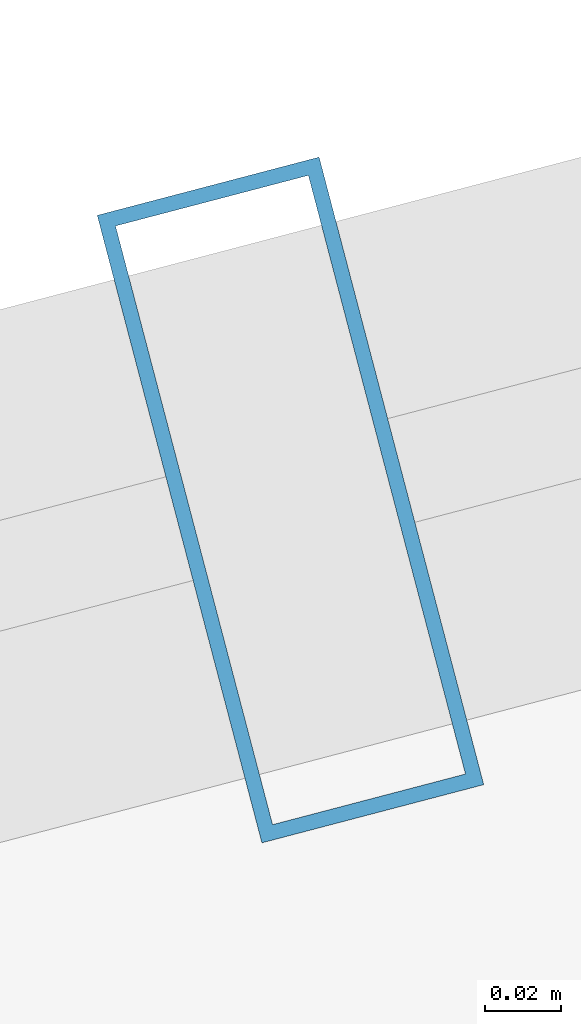
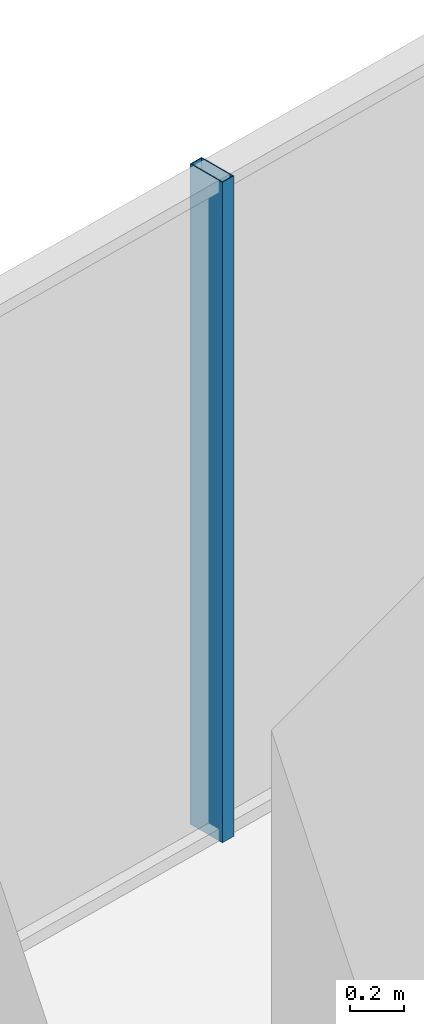
# One storey, part 26 of 39: 1 member, 1 element without a shape of its own.
"""IFC4 building model written with IfcOpenShell, lengths in metres."""

from ifc_helpers import new_model, si_unit, direction, frame, origin, origin_2d, place, context, subcontext, project, spatial, hollow_rectangle, extrude, source, transform, mapped, material, layer, layer_set, material_profile, profile_set, type_object, element, aggregate, save


model = new_model("IFC4")

# Units and contexts
model_context = context("Model", 3, precision=1e-05, world=origin(), true_north=direction((0.0, 1.0)))
body_context = subcontext(model_context, "Body", "Model", "MODEL_VIEW")
ifc_project = project(units=[si_unit("LENGTHUNIT", "METRE"), si_unit("AREAUNIT", "SQUARE_METRE"), si_unit("VOLUMEUNIT", "CUBIC_METRE"), si_unit("PLANEANGLEUNIT", "RADIAN"), si_unit("MASSUNIT", "GRAM", prefix="KILO")], contexts=[model_context])

# Site, building, storey
site_placement = place(None, origin())
site = spatial("IfcSite", under=ifc_project, at=site_placement, CompositionType="ELEMENT")
building_placement = place(site_placement, origin())
building = spatial("IfcBuilding", under=site, at=building_placement, Name="Veraguas Prism Commons", CompositionType="ELEMENT")
storey_placement = place(building_placement, frame((0.0, 0.0, 73.85009765625)))
storey = spatial("IfcBuildingStorey", under=building, at=storey_placement, Name="L20", CompositionType="ELEMENT", Elevation=73.85009765625)

# Curtain wall, member
ifc_material = material(Name="Anodised aluminium EN AW-6063 T6", Category="aluminium")
ifc_layer = layer(ifc_material, 0.169921875, Name="Unitised Flush Curtain Wall Zone 1", Category="aluminium")
ifc_layer_set = layer_set([ifc_layer], Name="Anodised aluminium EN AW-6063 T6")
curtain_wall_type = type_object("IfcCurtainWallType", Name="Unitised Flush Curtain Wall Zone 1", PredefinedType="NOTDEFINED", material=ifc_layer_set)
curtain_wall_placement = place(storey_placement, origin())
curtain_wall = element("IfcCurtainWall", 1, at=curtain_wall_placement, inside=storey, type_object=curtain_wall_type, Name="Tower Facade Curtain Wall L20-F2", PredefinedType="NOTDEFINED")
ifc_material_profile = material_profile(ifc_material, hollow_rectangle(XDim=0.06005859375, YDim=0.169921875, WallThickness=0.00390625, at=origin_2d()), Name="AL60X170X4")
ifc_profile_set = profile_set([ifc_material_profile], Name="Anodised aluminium EN AW-6063 T6")
member_type = type_object("IfcMemberType", Name="Curtain Wall Mullion Lower AL 60x170x4", PredefinedType="MULLION", material=ifc_profile_set)
shared_shape = source(origin(), body_context, "Body", "SweptSolid", [
    extrude(hollow_rectangle(XDim=0.06005859375, YDim=0.169921875, WallThickness=0.00390625, at=origin_2d()), origin(), (0.0, 0.0, 1.0), 3.0),
])
member_placement = place(storey_placement, frame((18.725830078125, 44.104248046875, 0.0), z_axis=(0.0, 0.0, 1.0), x_axis=(-0.967267309883, -0.253759632785, 0.0)))
member = element("IfcMember", 2, at=member_placement, type_object=member_type, Name="CW-Z1 Mullion 3", PredefinedType="MULLION", context=body_context, shape_type="MappedRepresentation", body=[
    mapped(shared_shape, transform((0.0, 0.0, 0.0), scale=1.0)),
])
aggregate(curtain_wall, [member])

save(model, "model.ifc")
